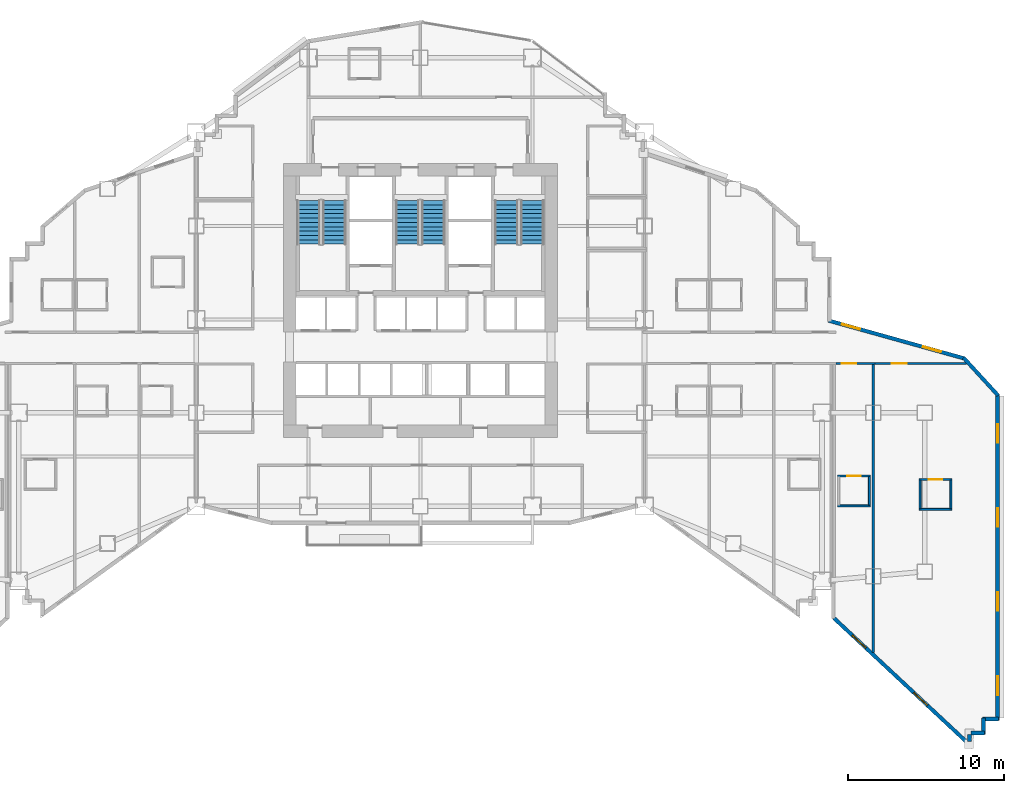
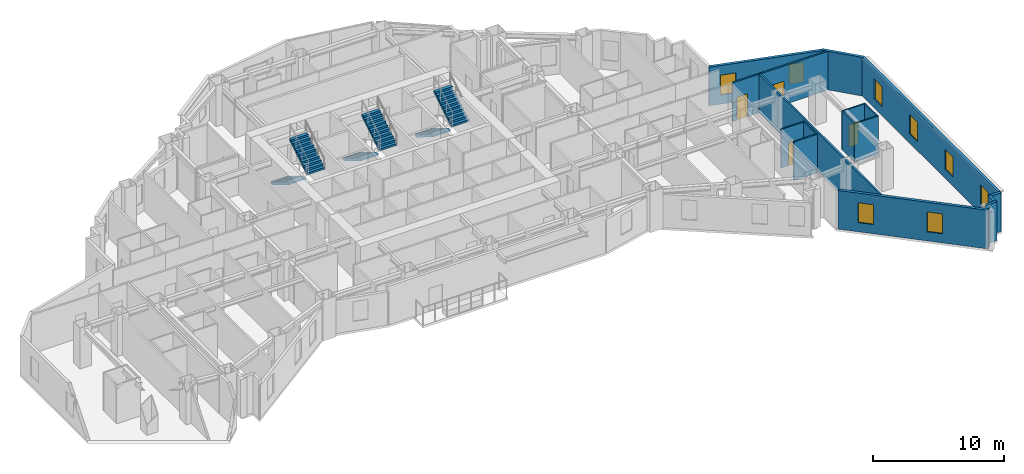
# One storey, part 13 of 16: 18 walls, 8 windows, 6 stair flights, 4 doors, 12 openings, 3 elements without a shape of their own.
"""IFC4 building model written with IfcOpenShell, lengths in metres."""

from ifc_helpers import new_model, si_unit, direction, frame, frame_2d, origin, place, context, subcontext, project, spatial, polyline, rectangle, outline, extrude, material, layer, layer_set, type_object, element, fill, aggregate, save


model = new_model("IFC4")

# Units and contexts
model_context = context("Model", 3, precision=1e-05, world=origin(), true_north=direction((0.0, 1.0)))
body_context = subcontext(model_context, "Body", "Model", "MODEL_VIEW")
ifc_project = project(units=[si_unit("LENGTHUNIT", "METRE"), si_unit("AREAUNIT", "SQUARE_METRE"), si_unit("VOLUMEUNIT", "CUBIC_METRE"), si_unit("PLANEANGLEUNIT", "RADIAN"), si_unit("MASSUNIT", "GRAM", prefix="KILO")], contexts=[model_context])

# Site, building, storey
site_placement = place(None, origin())
site = spatial("IfcSite", under=ifc_project, at=site_placement, CompositionType="ELEMENT")
building_placement = place(site_placement, origin())
building = spatial("IfcBuilding", under=site, at=building_placement, Name="Haolan Belvedere Tower", CompositionType="ELEMENT")
storey_placement = place(building_placement, frame((0.0, 0.0, 78.0)))
storey = spatial("IfcBuildingStorey", under=building, at=storey_placement, Name="L19", CompositionType="ELEMENT", Elevation=78.0)

# Wall, openings, windows
ifc_material_1 = material(Name="Precast concrete C40/50", Category="concrete")
ifc_layer_1 = layer(ifc_material_1, 0.239990234375, Name="Precast concrete C40/50")
ifc_layer_set_1 = layer_set([ifc_layer_1], Name="Precast concrete C40/50")
wall_type_1 = type_object("IfcWallType", Name="WL-EXT-240", PredefinedType="SOLIDWALL", material=ifc_layer_set_1)
wall_1_placement = place(storey_placement, frame((64.978515625, 14.3974609375, 0.0), z_axis=(0.0, 0.0, 1.0), x_axis=(0.731053894258, -0.682319722484, 0.0)))
wall_1 = element("IfcWall", 1, at=wall_1_placement, inside=storey, type_object=wall_type_1, Name="L19 pale-metal exterior spandrel wall 21.1", PredefinedType="SOLIDWALL", context=body_context, shape_type="SweptSolid", body=[
    extrude(rectangle(XDim=11.817626953125, YDim=0.239990234375, at=frame_2d((5.90869140625, 0.0))), origin(), (0.0, 0.0, 1.0), 3.60009765625),
])
opening_1_placement = place(wall_1_placement, frame((1.60009765625, 0.0, 0.85009765625)))
opening_1 = element("IfcOpeningElement", 2, at=opening_1_placement, cuts=wall_1, Name="Opening W-01", PredefinedType="OPENING", context=body_context, shape_type="SweptSolid", body=[
    extrude(rectangle(XDim=1.199951171875, YDim=1.85009765625, at=frame_2d((0.60009765625, 0.925048828125))), frame((0.0, 0.1298828125, 0.0), z_axis=(0.0, -1.0, 0.0), x_axis=(1.0, 0.0, 0.0)), (0.0, 0.0, 1.0), 0.260009765625),
])
opening_2_placement = place(wall_1_placement, frame((7.0, 0.0, 0.85009765625)))
opening_2 = element("IfcOpeningElement", 3, at=opening_2_placement, cuts=wall_1, Name="Opening W-01", PredefinedType="OPENING", context=body_context, shape_type="SweptSolid", body=[
    extrude(rectangle(XDim=1.199951171875, YDim=1.85009765625, at=frame_2d((0.60009765625, 0.925048828125))), frame((0.0, 0.1298828125, 0.0), z_axis=(0.0, -1.0, 0.0), x_axis=(1.0, 0.0, 0.0)), (0.0, 0.0, 1.0), 0.260009765625),
])
ifc_material_2 = material(Name="Anodised aluminium 6063-T6 and Low-E glass", Category="aluminium")
window_type = type_object("IfcWindowType", Name="WN-DECO-Z1", PartitioningType="SINGLE_PANEL", PredefinedType="WINDOW", material=ifc_material_2)
window_1_placement = place(opening_1_placement, origin())
window_1 = element("IfcWindow", 4, at=window_1_placement, inside=storey, type_object=window_type, Name="L19 Art Deco chevron window 1", OverallHeight=1.85009765625, OverallWidth=1.199951171875, PartitioningType="SINGLE_PANEL", PredefinedType="WINDOW", context=body_context, shape_type="SweptSolid", body=[
    extrude(rectangle(XDim=1.199951171875, YDim=1.85009765625, at=frame_2d((0.60009765625, 0.925048828125))), frame((0.0, 0.030029296875, 0.0), z_axis=(0.0, -1.0, 0.0), x_axis=(1.0, 0.0, 0.0)), (0.0, 0.0, 1.0), 0.06005859375),
])
fill(opening_1, window_1)
window_2_placement = place(opening_2_placement, origin())
window_2 = element("IfcWindow", 5, at=window_2_placement, inside=storey, type_object=window_type, Name="L19 Art Deco chevron window 2", OverallHeight=1.85009765625, OverallWidth=1.199951171875, PartitioningType="SINGLE_PANEL", PredefinedType="WINDOW", context=body_context, shape_type="SweptSolid", body=[
    extrude(rectangle(XDim=1.199951171875, YDim=1.85009765625, at=frame_2d((0.60009765625, 0.925048828125))), frame((0.0, 0.030029296875, 0.0), z_axis=(0.0, -1.0, 0.0), x_axis=(1.0, 0.0, 0.0)), (0.0, 0.0, 1.0), 0.06005859375),
])
fill(opening_2, window_2)

# Walls
wall_2_placement = place(storey_placement, frame((73.679931640625, 6.481201171875, 0.0), z_axis=(0.0, 0.0, 1.0), x_axis=(0.0, 1.0, 0.0)))
element("IfcWall", 6, at=wall_2_placement, inside=storey, type_object=wall_type_1, Name="L19 pale-metal exterior spandrel wall 22.1", PredefinedType="SOLIDWALL", context=body_context, shape_type="SweptSolid", body=[
    extrude(rectangle(XDim=0.453857421875, YDim=0.239990234375, at=frame_2d((0.22705078125, 0.0))), origin(), (0.0, 0.0, 1.0), 3.60009765625),
])
wall_3_placement = place(storey_placement, frame((73.764892578125, 7.02001953125, 0.0), z_axis=(0.0, 0.0, 1.0), x_axis=(1.0, 0.0, 0.0)))
element("IfcWall", 7, at=wall_3_placement, inside=storey, type_object=wall_type_1, Name="L19 pale-metal exterior spandrel wall 23.1", PredefinedType="SOLIDWALL", context=body_context, shape_type="SweptSolid", body=[
    extrude(rectangle(XDim=0.8701171875, YDim=0.239990234375, at=frame_2d((0.43505859375, 0.0))), origin(), (0.0, 0.0, 1.0), 3.60009765625),
])
for number, where, z_axis, x_axis, name in (
    (8, (74.580078125, 6.965087890625, 0.0), (0.0, 0.0, 1.0), (0.0, 1.0, 0.0), "L19 pale-metal exterior spandrel wall 24.1"),
    (9, (74.52490234375, 7.919921875, 0.0), (0.0, 0.0, 1.0), (1.0, 0.0, 0.0), "L19 pale-metal exterior spandrel wall 25.1"),
):
    element("IfcWall", number, at=place(storey_placement, frame(where, z_axis=z_axis, x_axis=x_axis)), inside=storey, type_object=wall_type_1, Name=name, PredefinedType="SOLIDWALL", context=body_context, shape_type="SweptSolid", body=[
        extrude(rectangle(XDim=1.010009765625, YDim=0.239990234375, at=frame_2d((0.5048828125, 0.0))), origin(), (0.0, 0.0, 1.0), 3.60009765625),
    ])

# Wall, openings, windows
wall_4_placement = place(storey_placement, frame((75.47998046875, 7.864990234375, 0.0), z_axis=(0.0, 0.0, 1.0), x_axis=(0.0, 1.0, 0.0)))
wall_4 = element("IfcWall", 10, at=wall_4_placement, inside=storey, type_object=wall_type_1, Name="L19 pale-metal exterior spandrel wall 26.1", PredefinedType="SOLIDWALL", context=body_context, shape_type="SweptSolid", body=[
    extrude(rectangle(XDim=20.943359375, YDim=0.239990234375, at=frame_2d((10.4716796875, 0.0))), origin(), (0.0, 0.0, 1.0), 3.60009765625),
])
opening_3_placement = place(wall_4_placement, frame((1.60009765625, 0.0, 0.85009765625)))
opening_3 = element("IfcOpeningElement", 11, at=opening_3_placement, cuts=wall_4, Name="Opening W-01", PredefinedType="OPENING", context=body_context, shape_type="SweptSolid", body=[
    extrude(rectangle(XDim=1.199951171875, YDim=1.85009765625, at=frame_2d((0.60009765625, 0.925048828125))), frame((0.0, 0.1298828125, 0.0), z_axis=(0.0, -1.0, 0.0), x_axis=(1.0, 0.0, 0.0)), (0.0, 0.0, 1.0), 0.260009765625),
])
opening_4_placement = place(wall_4_placement, frame((7.0, 0.0, 0.85009765625)))
opening_4 = element("IfcOpeningElement", 12, at=opening_4_placement, cuts=wall_4, Name="Opening W-01", PredefinedType="OPENING", context=body_context, shape_type="SweptSolid", body=[
    extrude(rectangle(XDim=1.199951171875, YDim=1.85009765625, at=frame_2d((0.60009765625, 0.925048828125))), frame((0.0, 0.1298828125, 0.0), z_axis=(0.0, -1.0, 0.0), x_axis=(1.0, 0.0, 0.0)), (0.0, 0.0, 1.0), 0.260009765625),
])
opening_5_placement = place(wall_4_placement, frame((12.39990234375, 0.0, 0.85009765625)))
opening_5 = element("IfcOpeningElement", 13, at=opening_5_placement, cuts=wall_4, Name="Opening W-01", PredefinedType="OPENING", context=body_context, shape_type="SweptSolid", body=[
    extrude(rectangle(XDim=1.199951171875, YDim=1.85009765625, at=frame_2d((0.60009765625, 0.925048828125))), frame((0.0, 0.1298828125, 0.0), z_axis=(0.0, -1.0, 0.0), x_axis=(1.0, 0.0, 0.0)), (0.0, 0.0, 1.0), 0.260009765625),
])
opening_6_placement = place(wall_4_placement, frame((17.800048828125, 0.0, 0.85009765625)))
opening_6 = element("IfcOpeningElement", 14, at=opening_6_placement, cuts=wall_4, Name="Opening W-01", PredefinedType="OPENING", context=body_context, shape_type="SweptSolid", body=[
    extrude(rectangle(XDim=1.199951171875, YDim=1.85009765625, at=frame_2d((0.60009765625, 0.925048828125))), frame((0.0, 0.1298828125, 0.0), z_axis=(0.0, -1.0, 0.0), x_axis=(1.0, 0.0, 0.0)), (0.0, 0.0, 1.0), 0.260009765625),
])
window_3_placement = place(opening_3_placement, origin())
window_3 = element("IfcWindow", 15, at=window_3_placement, inside=storey, type_object=window_type, Name="L19 Art Deco chevron window 1", OverallHeight=1.85009765625, OverallWidth=1.199951171875, PartitioningType="SINGLE_PANEL", PredefinedType="WINDOW", context=body_context, shape_type="SweptSolid", body=[
    extrude(rectangle(XDim=1.199951171875, YDim=1.85009765625, at=frame_2d((0.60009765625, 0.925048828125))), frame((0.0, 0.030029296875, 0.0), z_axis=(0.0, -1.0, 0.0), x_axis=(1.0, 0.0, 0.0)), (0.0, 0.0, 1.0), 0.06005859375),
])
fill(opening_3, window_3)
window_4_placement = place(opening_4_placement, origin())
window_4 = element("IfcWindow", 16, at=window_4_placement, inside=storey, type_object=window_type, Name="L19 Art Deco chevron window 2", OverallHeight=1.85009765625, OverallWidth=1.199951171875, PartitioningType="SINGLE_PANEL", PredefinedType="WINDOW", context=body_context, shape_type="SweptSolid", body=[
    extrude(rectangle(XDim=1.199951171875, YDim=1.85009765625, at=frame_2d((0.60009765625, 0.925048828125))), frame((0.0, 0.030029296875, 0.0), z_axis=(0.0, -1.0, 0.0), x_axis=(1.0, 0.0, 0.0)), (0.0, 0.0, 1.0), 0.06005859375),
])
fill(opening_4, window_4)
window_5_placement = place(opening_5_placement, origin())
window_5 = element("IfcWindow", 17, at=window_5_placement, inside=storey, type_object=window_type, Name="L19 Art Deco chevron window 3", OverallHeight=1.85009765625, OverallWidth=1.199951171875, PartitioningType="SINGLE_PANEL", PredefinedType="WINDOW", context=body_context, shape_type="SweptSolid", body=[
    extrude(rectangle(XDim=1.199951171875, YDim=1.85009765625, at=frame_2d((0.60009765625, 0.925048828125))), frame((0.0, 0.030029296875, 0.0), z_axis=(0.0, -1.0, 0.0), x_axis=(1.0, 0.0, 0.0)), (0.0, 0.0, 1.0), 0.06005859375),
])
fill(opening_5, window_5)
window_6_placement = place(opening_6_placement, origin())
window_6 = element("IfcWindow", 18, at=window_6_placement, inside=storey, type_object=window_type, Name="L19 Art Deco chevron window 4", OverallHeight=1.85009765625, OverallWidth=1.199951171875, PartitioningType="SINGLE_PANEL", PredefinedType="WINDOW", context=body_context, shape_type="SweptSolid", body=[
    extrude(rectangle(XDim=1.199951171875, YDim=1.85009765625, at=frame_2d((0.60009765625, 0.925048828125))), frame((0.0, 0.030029296875, 0.0), z_axis=(0.0, -1.0, 0.0), x_axis=(1.0, 0.0, 0.0)), (0.0, 0.0, 1.0), 0.06005859375),
])
fill(opening_6, window_6)

# Wall
wall_5_placement = place(storey_placement, frame((75.51708984375, 28.712890625, 0.0), z_axis=(0.0, 0.0, 1.0), x_axis=(-0.67574145796, 0.737138712858, 0.0)))
element("IfcWall", 19, at=wall_5_placement, inside=storey, type_object=wall_type_1, Name="L19 pale-metal exterior spandrel wall 27.1", PredefinedType="SOLIDWALL", context=body_context, shape_type="SweptSolid", body=[
    extrude(rectangle(XDim=3.284423828125, YDim=0.239990234375, at=frame_2d((1.64208984375, 0.0))), origin(), (0.0, 0.0, 1.0), 3.60009765625),
])

# Wall, openings, windows
wall_6_placement = place(storey_placement, frame((73.3876953125, 31.078857421875, 0.0), z_axis=(0.0, 0.0, 1.0), x_axis=(-0.963197271032, 0.268795493036, 0.0)))
wall_6 = element("IfcWall", 20, at=wall_6_placement, inside=storey, type_object=wall_type_1, Name="L19 pale-metal exterior spandrel wall 28.1", PredefinedType="SOLIDWALL", context=body_context, shape_type="SweptSolid", body=[
    extrude(rectangle(XDim=9.095458984375, YDim=0.239990234375, at=frame_2d((4.5478515625, 0.0))), origin(), (0.0, 0.0, 1.0), 3.60009765625),
])
opening_7_placement = place(wall_6_placement, frame((1.60009765625, 0.0, 0.85009765625)))
opening_7 = element("IfcOpeningElement", 21, at=opening_7_placement, cuts=wall_6, Name="Opening W-01", PredefinedType="OPENING", context=body_context, shape_type="SweptSolid", body=[
    extrude(rectangle(XDim=1.199951171875, YDim=1.85009765625, at=frame_2d((0.60009765625, 0.925048828125))), frame((0.0, 0.1298828125, 0.0), z_axis=(0.0, -1.0, 0.0), x_axis=(1.0, 0.0, 0.0)), (0.0, 0.0, 1.0), 0.260009765625),
])
opening_8_placement = place(wall_6_placement, frame((7.0, 0.0, 0.85009765625)))
opening_8 = element("IfcOpeningElement", 22, at=opening_8_placement, cuts=wall_6, Name="Opening W-01", PredefinedType="OPENING", context=body_context, shape_type="SweptSolid", body=[
    extrude(rectangle(XDim=1.199951171875, YDim=1.85009765625, at=frame_2d((0.60009765625, 0.925048828125))), frame((0.0, 0.1298828125, 0.0), z_axis=(0.0, -1.0, 0.0), x_axis=(1.0, 0.0, 0.0)), (0.0, 0.0, 1.0), 0.260009765625),
])
window_7_placement = place(opening_7_placement, origin())
window_7 = element("IfcWindow", 23, at=window_7_placement, inside=storey, type_object=window_type, Name="L19 Art Deco chevron window 1", OverallHeight=1.85009765625, OverallWidth=1.199951171875, PartitioningType="SINGLE_PANEL", PredefinedType="WINDOW", context=body_context, shape_type="SweptSolid", body=[
    extrude(rectangle(XDim=1.199951171875, YDim=1.85009765625, at=frame_2d((0.60009765625, 0.925048828125))), frame((0.0, 0.030029296875, 0.0), z_axis=(0.0, -1.0, 0.0), x_axis=(1.0, 0.0, 0.0)), (0.0, 0.0, 1.0), 0.06005859375),
])
fill(opening_7, window_7)
window_8_placement = place(opening_8_placement, origin())
window_8 = element("IfcWindow", 24, at=window_8_placement, inside=storey, type_object=window_type, Name="L19 Art Deco chevron window 2", OverallHeight=1.85009765625, OverallWidth=1.199951171875, PartitioningType="SINGLE_PANEL", PredefinedType="WINDOW", context=body_context, shape_type="SweptSolid", body=[
    extrude(rectangle(XDim=1.199951171875, YDim=1.85009765625, at=frame_2d((0.60009765625, 0.925048828125))), frame((0.0, 0.030029296875, 0.0), z_axis=(0.0, -1.0, 0.0), x_axis=(1.0, 0.0, 0.0)), (0.0, 0.0, 1.0), 0.06005859375),
])
fill(opening_8, window_8)

# Wall, opening, door
ifc_material_3 = material(Name="Double gypsum acoustic stud partition", Category="masonry")
ifc_layer_2 = layer(ifc_material_3, 0.14990234375, Name="Double gypsum acoustic stud partition")
ifc_layer_set_2 = layer_set([ifc_layer_2], Name="Double gypsum acoustic stud partition")
wall_type_2 = type_object("IfcWallType", Name="WL-PART-150", PredefinedType="PARTITIONING", material=ifc_layer_set_2)
wall_7_placement = place(storey_placement, frame((65.10205078125, 30.77001953125, 0.0), z_axis=(0.0, 0.0, 1.0), x_axis=(1.0, 0.0, 0.0)))
wall_7 = element("IfcWall", 25, at=wall_7_placement, inside=storey, type_object=wall_type_2, Name="L19 interior partition IW-L19-T5S1-N", PredefinedType="PARTITIONING", context=body_context, shape_type="SweptSolid", body=[
    extrude(rectangle(XDim=2.498046875, YDim=0.14990234375, at=frame_2d((1.2490234375, 0.0))), origin(), (0.0, 0.0, 1.0), 3.60009765625),
])
opening_9_placement = place(wall_7_placement, frame((1.311767578125, 0.0, 0.0), z_axis=(0.0, 0.0, 1.0), x_axis=(-1.0, 0.0, 0.0)))
opening_9 = element("IfcOpeningElement", 26, at=opening_9_placement, cuts=wall_7, Name="Opening ID-02", PredefinedType="OPENING", context=body_context, shape_type="SweptSolid", body=[
    extrude(rectangle(XDim=0.949951171875, YDim=2.14990234375, at=frame_2d((0.47509765625, 1.074951171875))), frame((0.0, 0.0849609375, 0.0), z_axis=(0.0, -1.0, 0.0), x_axis=(1.0, 0.0, 0.0)), (0.0, 0.0, 1.0), 0.169921875),
])
ifc_material_4 = material(Name="Acoustic oak veneer fire-rated timber", Category="wood")
door_type_1 = type_object("IfcDoorType", Name="DR-GUEST-950", OperationType="NOTDEFINED", PredefinedType="DOOR", material=ifc_material_4)
door_1_placement = place(opening_9_placement, origin())
door_1 = element("IfcDoor", 27, at=door_1_placement, inside=storey, type_object=door_type_1, Name="L19 door ID-L19-T5S1-ENT", OperationType="SINGLE_SWING_RIGHT", OverallHeight=2.14990234375, OverallWidth=0.949951171875, PredefinedType="DOOR", context=body_context, shape_type="SweptSolid", body=[
    extrude(rectangle(XDim=0.949951171875, YDim=2.14990234375, at=frame_2d((0.47509765625, 1.074951171875))), frame((0.0, 0.02490234375, 0.0), z_axis=(0.0, -1.0, 0.0), x_axis=(1.0, 0.0, 0.0)), (0.0, 0.0, 1.0), 0.050048828125),
])
fill(opening_9, door_1)

# Wall
wall_8_placement = place(storey_placement, frame((67.5, 12.187744140625, 0.0), z_axis=(0.0, 0.0, 1.0), x_axis=(0.0, 1.0, 0.0)))
element("IfcWall", 28, at=wall_8_placement, inside=storey, type_object=wall_type_2, Name="L19 interior partition IW-L19-T5S1-E", PredefinedType="PARTITIONING", context=body_context, shape_type="SweptSolid", body=[
    extrude(rectangle(XDim=18.522216796875, YDim=0.14990234375, at=frame_2d((9.26123046875, 0.0))), origin(), (0.0, 0.0, 1.0), 3.60009765625),
])

# Wall, opening, door
wall_9_placement = place(storey_placement, frame((67.60205078125, 30.77001953125, 0.0), z_axis=(0.0, 0.0, 1.0), x_axis=(1.0, 0.0, 0.0)))
wall_9 = element("IfcWall", 29, at=wall_9_placement, inside=storey, type_object=wall_type_2, Name="L19 interior partition IW-L19-T5S2-N", PredefinedType="PARTITIONING", context=body_context, shape_type="SweptSolid", body=[
    extrude(rectangle(XDim=5.88671875, YDim=0.14990234375, at=frame_2d((2.943359375, 0.0))), origin(), (0.0, 0.0, 1.0), 3.60009765625),
])
opening_10_placement = place(wall_9_placement, frame((2.0361328125, 0.0, 0.0), z_axis=(0.0, 0.0, 1.0), x_axis=(-1.0, 0.0, 0.0)))
opening_10 = element("IfcOpeningElement", 30, at=opening_10_placement, cuts=wall_9, Name="Opening ID-01", PredefinedType="OPENING", context=body_context, shape_type="SweptSolid", body=[
    extrude(rectangle(XDim=0.949951171875, YDim=2.179931640625, at=frame_2d((0.47509765625, 1.08984375))), frame((0.0, 0.0849609375, 0.0), z_axis=(0.0, -1.0, 0.0), x_axis=(1.0, 0.0, 0.0)), (0.0, 0.0, 1.0), 0.169921875),
])
ifc_material_5 = material(Name="Acoustic walnut veneer fire-rated timber", Category="wood")
door_type_2 = type_object("IfcDoorType", Name="DR-SUITE-950", OperationType="NOTDEFINED", PredefinedType="DOOR", material=ifc_material_5)
door_2_placement = place(opening_10_placement, origin())
door_2 = element("IfcDoor", 31, at=door_2_placement, inside=storey, type_object=door_type_2, Name="L19 door ID-L19-T5S2-ENT", OperationType="SINGLE_SWING_LEFT", OverallHeight=2.179931640625, OverallWidth=0.949951171875, PredefinedType="DOOR", context=body_context, shape_type="SweptSolid", body=[
    extrude(rectangle(XDim=0.949951171875, YDim=2.179931640625, at=frame_2d((0.47509765625, 1.08984375))), frame((0.0, 0.02490234375, 0.0), z_axis=(0.0, -1.0, 0.0), x_axis=(1.0, 0.0, 0.0)), (0.0, 0.0, 1.0), 0.050048828125),
])
fill(opening_10, door_2)

ifc_material_6 = material(Name="Moisture-resistant gypsum tile partition", Category="masonry")
ifc_layer_3 = layer(ifc_material_6, 0.1201171875, Name="Moisture-resistant gypsum tile partition")
ifc_layer_set_3 = layer_set([ifc_layer_3], Name="Moisture-resistant gypsum tile partition")
wall_type_3 = type_object("IfcWallType", Name="WL-WET-120", PredefinedType="PARTITIONING", material=ifc_layer_set_3)
wall_10_placement = place(storey_placement, frame((65.20703125, 23.541015625, 0.0), z_axis=(0.0, 0.0, 1.0), x_axis=(1.0, 0.0, 0.0)))
wall_10 = element("IfcWall", 32, at=wall_10_placement, inside=storey, type_object=wall_type_3, Name="L19 interior partition IW-L19-T5S1-BN", PredefinedType="PARTITIONING", context=body_context, shape_type="SweptSolid", body=[
    extrude(rectangle(XDim=2.099853515625, YDim=0.1201171875, at=frame_2d((1.0498046875, 0.0))), origin(), (0.0, 0.0, 1.0), 3.60009765625),
])
opening_11_placement = place(wall_10_placement, frame((1.47509765625, 0.0, 0.0), z_axis=(0.0, 0.0, 1.0), x_axis=(-1.0, 0.0, 0.0)))
opening_11 = element("IfcOpeningElement", 33, at=opening_11_placement, cuts=wall_10, Name="Opening ID-05", PredefinedType="OPENING", context=body_context, shape_type="SweptSolid", body=[
    extrude(rectangle(XDim=0.85009765625, YDim=2.10009765625, at=frame_2d((0.425048828125, 1.050048828125))), frame((0.0, 0.070068359375, 0.0), z_axis=(0.0, -1.0, 0.0), x_axis=(1.0, 0.0, 0.0)), (0.0, 0.0, 1.0), 0.14013671875),
])
ifc_material_7 = material(Name="Moisture-resistant lacquered timber", Category="wood")
door_type_3 = type_object("IfcDoorType", Name="DR-BATH-850", OperationType="NOTDEFINED", PredefinedType="DOOR", material=ifc_material_7)
door_3_placement = place(opening_11_placement, origin())
door_3 = element("IfcDoor", 34, at=door_3_placement, inside=storey, type_object=door_type_3, Name="L19 door ID-L19-T5S1-BATH", OperationType="SINGLE_SWING_LEFT", OverallHeight=2.10009765625, OverallWidth=0.85009765625, PredefinedType="DOOR", context=body_context, shape_type="SweptSolid", body=[
    extrude(rectangle(XDim=0.85009765625, YDim=2.10009765625, at=frame_2d((0.425048828125, 1.050048828125))), frame((0.0, 0.02490234375, 0.0), z_axis=(0.0, -1.0, 0.0), x_axis=(1.0, 0.0, 0.0)), (0.0, 0.0, 1.0), 0.050048828125),
])
fill(opening_11, door_3)

# Walls
wall_11_placement = place(storey_placement, frame((65.20703125, 21.62109375, 0.0), z_axis=(0.0, 0.0, 1.0), x_axis=(1.0, 0.0, 0.0)))
element("IfcWall", 35, at=wall_11_placement, inside=storey, type_object=wall_type_3, Name="L19 interior partition IW-L19-T5S1-BS", PredefinedType="PARTITIONING", context=body_context, shape_type="SweptSolid", body=[
    extrude(rectangle(XDim=2.099853515625, YDim=0.1201171875, at=frame_2d((1.0498046875, 0.0))), origin(), (0.0, 0.0, 1.0), 3.60009765625),
])
wall_12_placement = place(storey_placement, frame((67.2470703125, 21.666015625, 0.0), z_axis=(0.0, 0.0, 1.0), x_axis=(0.0, 1.0, 0.0)))
element("IfcWall", 36, at=wall_12_placement, inside=storey, type_object=wall_type_3, Name="L19 interior partition IW-L19-T5S1-BE", PredefinedType="PARTITIONING", context=body_context, shape_type="SweptSolid", body=[
    extrude(rectangle(XDim=1.830078125, YDim=0.1201171875, at=frame_2d((0.9150390625, 0.0))), origin(), (0.0, 0.0, 1.0), 3.60009765625),
])

# Wall, opening, door
wall_13_placement = place(storey_placement, frame((70.443115234375, 23.31005859375, 0.0), z_axis=(0.0, 0.0, 1.0), x_axis=(1.0, 0.0, 0.0)))
wall_13 = element("IfcWall", 37, at=wall_13_placement, inside=storey, type_object=wall_type_3, Name="L19 interior partition IW-L19-T5S2-BN", PredefinedType="PARTITIONING", context=body_context, shape_type="SweptSolid", body=[
    extrude(rectangle(XDim=2.099853515625, YDim=0.1201171875, at=frame_2d((1.0498046875, 0.0))), origin(), (0.0, 0.0, 1.0), 3.60009765625),
])
opening_12_placement = place(wall_13_placement, frame((1.47509765625, 0.0, 0.0), z_axis=(0.0, 0.0, 1.0), x_axis=(-1.0, 0.0, 0.0)))
opening_12 = element("IfcOpeningElement", 38, at=opening_12_placement, cuts=wall_13, Name="Opening ID-05", PredefinedType="OPENING", context=body_context, shape_type="SweptSolid", body=[
    extrude(rectangle(XDim=0.85009765625, YDim=2.10009765625, at=frame_2d((0.425048828125, 1.050048828125))), frame((0.0, 0.070068359375, 0.0), z_axis=(0.0, -1.0, 0.0), x_axis=(1.0, 0.0, 0.0)), (0.0, 0.0, 1.0), 0.14013671875),
])
door_4_placement = place(opening_12_placement, origin())
door_4 = element("IfcDoor", 39, at=door_4_placement, inside=storey, type_object=door_type_3, Name="L19 door ID-L19-T5S2-BATH", OperationType="SINGLE_SWING_RIGHT", OverallHeight=2.10009765625, OverallWidth=0.85009765625, PredefinedType="DOOR", context=body_context, shape_type="SweptSolid", body=[
    extrude(rectangle(XDim=0.85009765625, YDim=2.10009765625, at=frame_2d((0.425048828125, 1.050048828125))), frame((0.0, 0.02490234375, 0.0), z_axis=(0.0, -1.0, 0.0), x_axis=(1.0, 0.0, 0.0)), (0.0, 0.0, 1.0), 0.050048828125),
])
fill(opening_12, door_4)

# Walls
wall_14_placement = place(storey_placement, frame((70.443115234375, 21.389892578125, 0.0), z_axis=(0.0, 0.0, 1.0), x_axis=(1.0, 0.0, 0.0)))
element("IfcWall", 40, at=wall_14_placement, inside=storey, type_object=wall_type_3, Name="L19 interior partition IW-L19-T5S2-BS", PredefinedType="PARTITIONING", context=body_context, shape_type="SweptSolid", body=[
    extrude(rectangle(XDim=2.099853515625, YDim=0.1201171875, at=frame_2d((1.0498046875, 0.0))), origin(), (0.0, 0.0, 1.0), 3.60009765625),
])
for number, where, z_axis, x_axis, name in (
    (41, (70.5029296875, 21.43505859375, 0.0), (0.0, 0.0, 1.0), (0.0, 1.0, 0.0), "L19 interior partition IW-L19-T5S2-BW"),
    (42, (72.48291015625, 21.43505859375, 0.0), (0.0, 0.0, 1.0), (0.0, 1.0, 0.0), "L19 interior partition IW-L19-T5S2-BE"),
):
    element("IfcWall", number, at=place(storey_placement, frame(where, z_axis=z_axis, x_axis=x_axis)), inside=storey, type_object=wall_type_3, Name=name, PredefinedType="PARTITIONING", context=body_context, shape_type="SweptSolid", body=[
        extrude(rectangle(XDim=1.829833984375, YDim=0.1201171875, at=frame_2d((0.9150390625, 0.0))), origin(), (0.0, 0.0, 1.0), 3.60009765625),
    ])

# Stair, stair flights
ifc_material_8 = material(Name="Concrete C40/50", Category="concrete")
stair_type = type_object("IfcStairType", Name="STR-DL-22R-173", PredefinedType="HALF_TURN_STAIR", material=ifc_material_8)
stair_1_placement = place(storey_placement, origin())
stair_1 = element("IfcStair", 43, at=stair_1_placement, inside=storey, type_object=stair_type, Name="L19 Smokeproof Core Exit Stair ST1", PredefinedType="HALF_TURN_STAIR")
stair_flight_type = type_object("IfcStairFlightType", Name="SFL-DL-11R-173", PredefinedType="STRAIGHT", material=ifc_material_8)
stair_flight_1_placement = place(storey_placement, frame((31.2099609375, 41.22998046875, 0.0), z_axis=(0.0, 0.0, 1.0), x_axis=(0.0, -1.0, 0.0)))
stair_flight_1 = element("IfcStairFlight", 44, at=stair_flight_1_placement, type_object=stair_flight_type, Name="ST1 flight 1", NumberOfRisers=11, NumberOfTreads=10, PredefinedType="STRAIGHT", RiserHeight=0.172727273, TreadLength=0.28, context=body_context, shape_type="SweptSolid", body=[
    extrude(outline(polyline([(0.0, 0.0), (0.0, 0.172607421875), (0.280029296875, 0.172607421875), (0.280029296875, 0.345458984375), (0.56005859375, 0.345458984375), (0.56005859375, 0.51806640625), (0.840087890625, 0.51806640625), (0.840087890625, 0.69091796875), (1.1201171875, 0.69091796875), (1.1201171875, 0.863525390625), (1.39990234375, 0.863525390625), (1.39990234375, 1.036376953125), (1.679931640625, 1.036376953125), (1.679931640625, 1.208984375), (1.9599609375, 1.208984375), (1.9599609375, 1.3818359375), (2.239990234375, 1.3818359375), (2.239990234375, 1.554443359375), (2.52001953125, 1.554443359375), (2.52001953125, 1.727294921875), (2.800048828125, 1.727294921875), (2.800048828125, 1.89990234375), (2.800048828125, 1.551025390625), (0.285400390625, 0.0), (0.0, 0.0)])), frame((0.0, 0.760009765625, 0.0), z_axis=(0.0, -1.0, 0.0), x_axis=(1.0, 0.0, 0.0)), (0.0, 0.0, 1.0), 1.52001953125),
])
stair_flight_2_placement = place(storey_placement, frame((32.8701171875, 38.429931640625, 1.89990234375), z_axis=(0.0, 0.0, 1.0), x_axis=(0.0, 1.0, 0.0)))
stair_flight_2 = element("IfcStairFlight", 45, at=stair_flight_2_placement, type_object=stair_flight_type, Name="ST1 flight 2", NumberOfRisers=11, NumberOfTreads=10, PredefinedType="STRAIGHT", RiserHeight=0.172727273, TreadLength=0.28, context=body_context, shape_type="SweptSolid", body=[
    extrude(outline(polyline([(0.0, 0.0), (0.0, 0.172607421875), (0.280029296875, 0.172607421875), (0.280029296875, 0.345458984375), (0.56005859375, 0.345458984375), (0.56005859375, 0.51806640625), (0.840087890625, 0.51806640625), (0.840087890625, 0.69091796875), (1.1201171875, 0.69091796875), (1.1201171875, 0.863525390625), (1.39990234375, 0.863525390625), (1.39990234375, 1.036376953125), (1.679931640625, 1.036376953125), (1.679931640625, 1.208984375), (1.9599609375, 1.208984375), (1.9599609375, 1.3818359375), (2.239990234375, 1.3818359375), (2.239990234375, 1.554443359375), (2.52001953125, 1.554443359375), (2.52001953125, 1.727294921875), (2.800048828125, 1.727294921875), (2.800048828125, 1.89990234375), (2.800048828125, 1.551025390625), (0.285400390625, 0.0), (0.0, 0.0)])), frame((0.0, 0.760009765625, 0.0), z_axis=(0.0, -1.0, 0.0), x_axis=(1.0, 0.0, 0.0)), (0.0, 0.0, 1.0), 1.52001953125),
])
aggregate(stair_1, [stair_flight_1, stair_flight_2])

stair_2_placement = place(storey_placement, origin())
stair_2 = element("IfcStair", 46, at=stair_2_placement, inside=storey, type_object=stair_type, Name="L19 Smokeproof Core Exit Stair ST3", PredefinedType="HALF_TURN_STAIR")
stair_flight_3_placement = place(storey_placement, frame((37.570068359375, 41.22998046875, 0.0), z_axis=(0.0, 0.0, 1.0), x_axis=(0.0, -1.0, 0.0)))
stair_flight_3 = element("IfcStairFlight", 47, at=stair_flight_3_placement, type_object=stair_flight_type, Name="ST3 flight 1", NumberOfRisers=11, NumberOfTreads=10, PredefinedType="STRAIGHT", RiserHeight=0.172727273, TreadLength=0.28, context=body_context, shape_type="SweptSolid", body=[
    extrude(outline(polyline([(0.0, 0.0), (0.0, 0.172607421875), (0.280029296875, 0.172607421875), (0.280029296875, 0.345458984375), (0.56005859375, 0.345458984375), (0.56005859375, 0.51806640625), (0.840087890625, 0.51806640625), (0.840087890625, 0.69091796875), (1.1201171875, 0.69091796875), (1.1201171875, 0.863525390625), (1.39990234375, 0.863525390625), (1.39990234375, 1.036376953125), (1.679931640625, 1.036376953125), (1.679931640625, 1.208984375), (1.9599609375, 1.208984375), (1.9599609375, 1.3818359375), (2.239990234375, 1.3818359375), (2.239990234375, 1.554443359375), (2.52001953125, 1.554443359375), (2.52001953125, 1.727294921875), (2.800048828125, 1.727294921875), (2.800048828125, 1.89990234375), (2.800048828125, 1.551025390625), (0.285400390625, 0.0), (0.0, 0.0)])), frame((0.0, 0.760009765625, 0.0), z_axis=(0.0, -1.0, 0.0), x_axis=(1.0, 0.0, 0.0)), (0.0, 0.0, 1.0), 1.52001953125),
])
stair_flight_4_placement = place(storey_placement, frame((39.22998046875, 38.429931640625, 1.89990234375), z_axis=(0.0, 0.0, 1.0), x_axis=(0.0, 1.0, 0.0)))
stair_flight_4 = element("IfcStairFlight", 48, at=stair_flight_4_placement, type_object=stair_flight_type, Name="ST3 flight 2", NumberOfRisers=11, NumberOfTreads=10, PredefinedType="STRAIGHT", RiserHeight=0.172727273, TreadLength=0.28, context=body_context, shape_type="SweptSolid", body=[
    extrude(outline(polyline([(0.0, 0.0), (0.0, 0.172607421875), (0.280029296875, 0.172607421875), (0.280029296875, 0.345458984375), (0.56005859375, 0.345458984375), (0.56005859375, 0.51806640625), (0.840087890625, 0.51806640625), (0.840087890625, 0.69091796875), (1.1201171875, 0.69091796875), (1.1201171875, 0.863525390625), (1.39990234375, 0.863525390625), (1.39990234375, 1.036376953125), (1.679931640625, 1.036376953125), (1.679931640625, 1.208984375), (1.9599609375, 1.208984375), (1.9599609375, 1.3818359375), (2.239990234375, 1.3818359375), (2.239990234375, 1.554443359375), (2.52001953125, 1.554443359375), (2.52001953125, 1.727294921875), (2.800048828125, 1.727294921875), (2.800048828125, 1.89990234375), (2.800048828125, 1.551025390625), (0.285400390625, 0.0), (0.0, 0.0)])), frame((0.0, 0.760009765625, 0.0), z_axis=(0.0, -1.0, 0.0), x_axis=(1.0, 0.0, 0.0)), (0.0, 0.0, 1.0), 1.52001953125),
])
aggregate(stair_2, [stair_flight_3, stair_flight_4])

stair_3_placement = place(storey_placement, origin())
stair_3 = element("IfcStair", 49, at=stair_3_placement, inside=storey, type_object=stair_type, Name="L19 Smokeproof Core Exit Stair ST2", PredefinedType="HALF_TURN_STAIR")
stair_flight_5_placement = place(storey_placement, frame((43.929931640625, 41.22998046875, 0.0), z_axis=(0.0, 0.0, 1.0), x_axis=(0.0, -1.0, 0.0)))
stair_flight_5 = element("IfcStairFlight", 50, at=stair_flight_5_placement, type_object=stair_flight_type, Name="ST2 flight 1", NumberOfRisers=11, NumberOfTreads=10, PredefinedType="STRAIGHT", RiserHeight=0.172727273, TreadLength=0.28, context=body_context, shape_type="SweptSolid", body=[
    extrude(outline(polyline([(0.0, 0.0), (0.0, 0.172607421875), (0.280029296875, 0.172607421875), (0.280029296875, 0.345458984375), (0.56005859375, 0.345458984375), (0.56005859375, 0.51806640625), (0.840087890625, 0.51806640625), (0.840087890625, 0.69091796875), (1.1201171875, 0.69091796875), (1.1201171875, 0.863525390625), (1.39990234375, 0.863525390625), (1.39990234375, 1.036376953125), (1.679931640625, 1.036376953125), (1.679931640625, 1.208984375), (1.9599609375, 1.208984375), (1.9599609375, 1.3818359375), (2.239990234375, 1.3818359375), (2.239990234375, 1.554443359375), (2.52001953125, 1.554443359375), (2.52001953125, 1.727294921875), (2.800048828125, 1.727294921875), (2.800048828125, 1.89990234375), (2.800048828125, 1.551025390625), (0.285400390625, 0.0), (0.0, 0.0)])), frame((0.0, 0.760009765625, 0.0), z_axis=(0.0, -1.0, 0.0), x_axis=(1.0, 0.0, 0.0)), (0.0, 0.0, 1.0), 1.52001953125),
])
stair_flight_6_placement = place(storey_placement, frame((45.590087890625, 38.429931640625, 1.89990234375), z_axis=(0.0, 0.0, 1.0), x_axis=(0.0, 1.0, 0.0)))
stair_flight_6 = element("IfcStairFlight", 51, at=stair_flight_6_placement, type_object=stair_flight_type, Name="ST2 flight 2", NumberOfRisers=11, NumberOfTreads=10, PredefinedType="STRAIGHT", RiserHeight=0.172727273, TreadLength=0.28, context=body_context, shape_type="SweptSolid", body=[
    extrude(outline(polyline([(0.0, 0.0), (0.0, 0.172607421875), (0.280029296875, 0.172607421875), (0.280029296875, 0.345458984375), (0.56005859375, 0.345458984375), (0.56005859375, 0.51806640625), (0.840087890625, 0.51806640625), (0.840087890625, 0.69091796875), (1.1201171875, 0.69091796875), (1.1201171875, 0.863525390625), (1.39990234375, 0.863525390625), (1.39990234375, 1.036376953125), (1.679931640625, 1.036376953125), (1.679931640625, 1.208984375), (1.9599609375, 1.208984375), (1.9599609375, 1.3818359375), (2.239990234375, 1.3818359375), (2.239990234375, 1.554443359375), (2.52001953125, 1.554443359375), (2.52001953125, 1.727294921875), (2.800048828125, 1.727294921875), (2.800048828125, 1.89990234375), (2.800048828125, 1.551025390625), (0.285400390625, 0.0), (0.0, 0.0)])), frame((0.0, 0.760009765625, 0.0), z_axis=(0.0, -1.0, 0.0), x_axis=(1.0, 0.0, 0.0)), (0.0, 0.0, 1.0), 1.52001953125),
])
aggregate(stair_3, [stair_flight_5, stair_flight_6])

save(model, "model.ifc")
